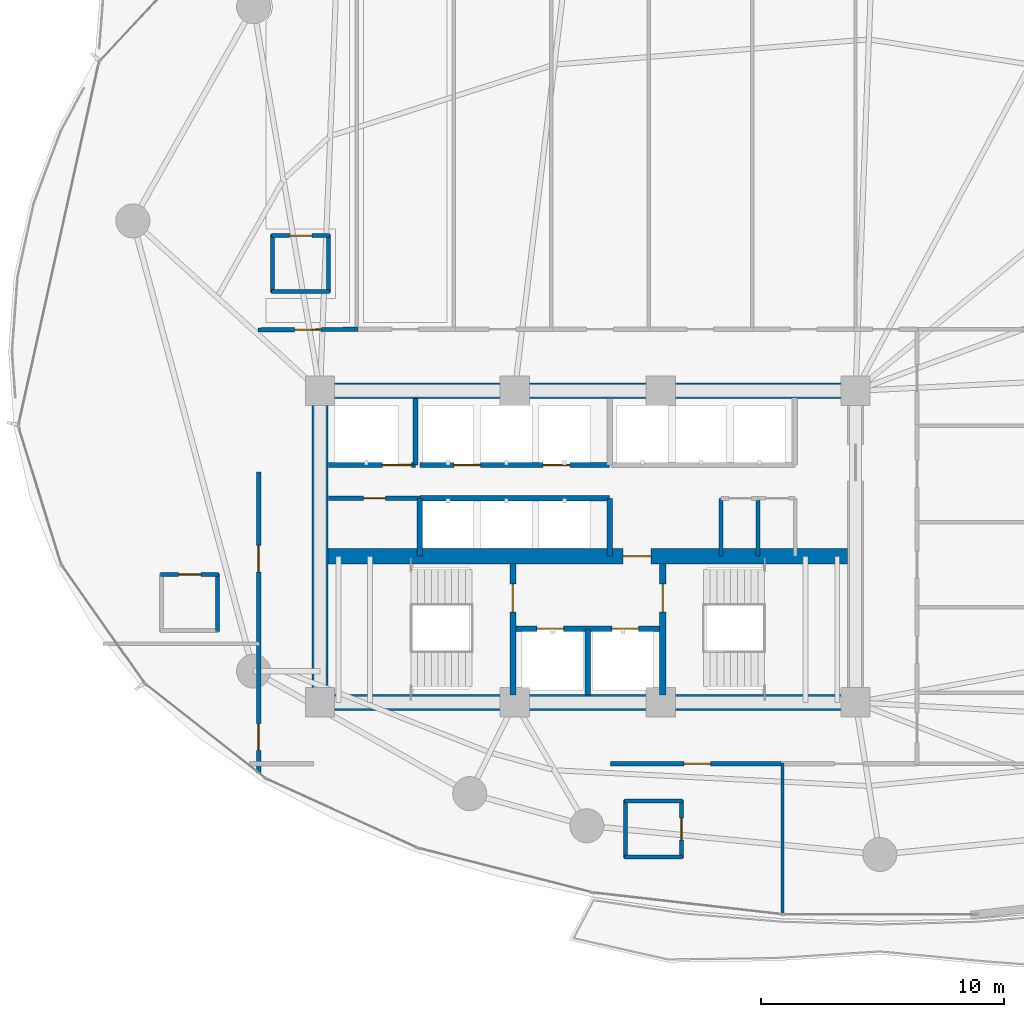
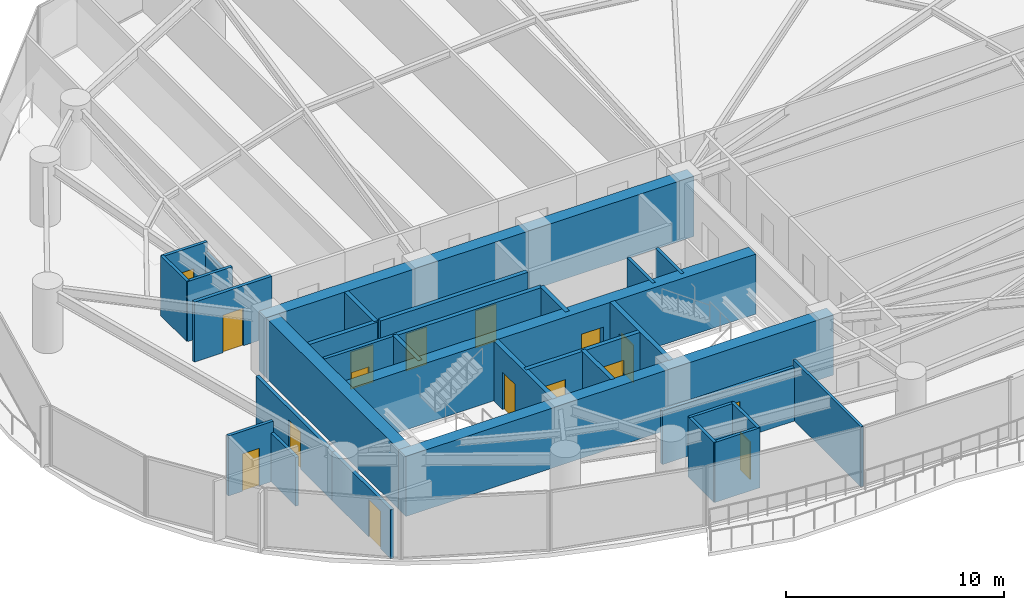
# One storey, part 26 of 33: 32 walls, 16 doors, 16 openings.
"""IFC4 building model written with IfcOpenShell, lengths in metres."""

import ifcopenshell
import ifcopenshell.guid

model = None  # the IFC model being written
_history = None  # IfcOwnerHistory: only IFC2X3 demands one
_inside = {}  # id of a spatial element -> (the spatial element, [elements in it])
_under = {}  # id of a project, library or spatial element -> (it, [spatial elements below it])
_declared = {}  # id of a project -> (the project, [libraries it declares])
_typed = {}  # id of a type object -> (the type object, [elements of that type])
_made_of = {}  # id of a material, layer set ... -> (it, [elements and type objects made of it])


def new_model(schema):
    """Start an empty IFC model of exactly this schema.

    Asked for "IFC4X3", IfcOpenShell would pick the latest addendum, in which some entities
    have other attributes; the version numbers below select the first issue.
    IFC2X3 requires an IfcOwnerHistory on every rooted entity: one is made here for all.
    """
    global model, _history
    if schema == "IFC4X3":
        model = ifcopenshell.file(schema_version=(4, 3, 0, 0))
    else:
        model = ifcopenshell.file(schema=schema)
    _inside.clear()
    _under.clear()
    _declared.clear()
    _typed.clear()
    _made_of.clear()
    _history = None
    if model.schema == "IFC2X3":
        org = make("IfcOrganization", Name="unknown")
        user = make(
            "IfcPersonAndOrganization",
            ThePerson=make("IfcPerson", FamilyName="unknown"),
            TheOrganization=org,
        )
        app = make(
            "IfcApplication",
            ApplicationDeveloper=org,
            Version="unknown",
            ApplicationFullName="unknown",
            ApplicationIdentifier="unknown",
        )
        _history = make(
            "IfcOwnerHistory",
            OwningUser=user,
            OwningApplication=app,
            ChangeAction="ADDED",
            CreationDate=0,
        )
    return model


def make(cls, **values):
    """One entity of the class cls with the attributes given. An attribute that is None is left unset."""
    return model.create_entity(
        cls, **{name: value for name, value in values.items() if value is not None}
    )


def rooted(cls, **values):
    """An entity with a GlobalId (a new one), such as an element, a storey or a relation."""
    return make(cls, GlobalId=ifcopenshell.guid.new(), OwnerHistory=_history, **values)


def si_unit(unit_type, name, prefix=None):
    """IfcSIUnit, for example si_unit("LENGTHUNIT", "METRE", prefix="MILLI")."""
    return make("IfcSIUnit", UnitType=unit_type, Prefix=prefix, Name=name)


def assignment(units):
    """IfcUnitAssignment: the units of a project."""
    return None if units is None else make("IfcUnitAssignment", Units=units)


def point(xyz):
    """IfcCartesianPoint."""
    return None if xyz is None else make("IfcCartesianPoint", Coordinates=xyz)


def direction(xyz):
    """IfcDirection."""
    return None if xyz is None else make("IfcDirection", DirectionRatios=xyz)


def frame(location, z_axis=None, x_axis=None):
    """IfcAxis2Placement3D, a coordinate frame: its origin and axes. An axis left out is left unset."""
    return make(
        "IfcAxis2Placement3D",
        Location=point(location),
        Axis=direction(z_axis),
        RefDirection=direction(x_axis),
    )


def frame_2d(location, x_axis=None):
    """IfcAxis2Placement2D, a coordinate frame in the plane: its origin and x axis."""
    return make(
        "IfcAxis2Placement2D", Location=point(location), RefDirection=direction(x_axis)
    )


def origin():
    """The frame at (0, 0, 0) with its axes left unset."""
    return frame((0.0, 0.0, 0.0))


def place(relative_to, where):
    """IfcLocalPlacement: puts the frame where relative to a parent placement (None: the world)."""
    return make(
        "IfcLocalPlacement", PlacementRelTo=relative_to, RelativePlacement=where
    )


def context(
    kind, dimensions, precision=None, world=None, true_north=None, identifier=None
):
    """IfcGeometricRepresentationContext, for example the 3D "Model" context."""
    return make(
        "IfcGeometricRepresentationContext",
        ContextIdentifier=identifier,
        ContextType=kind,
        CoordinateSpaceDimension=dimensions,
        Precision=precision,
        WorldCoordinateSystem=world,
        TrueNorth=true_north,
    )


def subcontext(parent, identifier, kind, view, scale=None):
    """IfcGeometricRepresentationSubContext, for example "Body" below "Model"."""
    return make(
        "IfcGeometricRepresentationSubContext",
        ContextIdentifier=identifier,
        ContextType=kind,
        ParentContext=parent,
        TargetScale=scale,
        TargetView=view,
    )


def project(units=None, contexts=None):
    """IfcProject with its units and contexts."""
    return rooted(
        "IfcProject",
        Name="project",
        RepresentationContexts=contexts,
        UnitsInContext=assignment(units),
    )


def spatial(cls, under=None, at=None, **own):
    """A site, building, storey or space (cls), placed at a placement, below another one or the project."""
    s = rooted(cls, ObjectPlacement=at, **own)
    if under is not None:
        _under.setdefault(under.id(), (under, []))[1].append(s)
    return s


def profile(cls, at=None, kind="AREA", **sizes):
    """A parametric profile (cls). Its sizes go by their IFC names, for example OverallWidth=200.0."""
    return make(cls, ProfileType=kind, Position=at, **sizes)


def rectangle(**sizes):
    """IfcRectangleProfileDef."""
    return profile("IfcRectangleProfileDef", **sizes)


def extrude(swept, where, along, depth):
    """IfcExtrudedAreaSolid: the profile swept, set in the frame where, extruded along a direction by depth."""
    return make(
        "IfcExtrudedAreaSolid",
        SweptArea=swept,
        Position=where,
        ExtrudedDirection=direction(along),
        Depth=depth,
    )


def shape(context_of_items, identifier, shape_type, items):
    """IfcShapeRepresentation: the items that make up one representation, for example the "Body"."""
    return make(
        "IfcShapeRepresentation",
        ContextOfItems=context_of_items,
        RepresentationIdentifier=identifier,
        RepresentationType=shape_type,
        Items=items,
    )


def material(Name=None, Category=None):
    """IfcMaterial."""
    return make("IfcMaterial", Name=Name, Category=Category)


def layer(
    of_material, thickness, ventilated=None, Name=None, Category=None, Priority=None
):
    """IfcMaterialLayer: one layer of a wall or slab, of a material (None: an air gap)."""
    return make(
        "IfcMaterialLayer",
        Material=of_material,
        LayerThickness=thickness,
        IsVentilated=ventilated,
        Name=Name,
        Category=Category,
        Priority=Priority,
    )


def layer_set(layers, Name=None):
    """IfcMaterialLayerSet."""
    return make("IfcMaterialLayerSet", MaterialLayers=layers, LayerSetName=Name)


def made_of(thing, what):
    """Note that an element or type object is made of a material, layer set ...; save() writes the relation."""
    if what is not None:
        _made_of.setdefault(what.id(), (what, []))[1].append(thing)
    return thing


def type_object(cls, material=None, **own):
    """A type object (cls), such as IfcWallType, which elements share."""
    return made_of(rooted(cls, **own), material)


def element(
    cls,
    number,
    at=None,
    inside=None,
    cuts=None,
    type_object=None,
    material=None,
    context=None,
    identifier="Body",
    shape_type=None,
    held_by="IfcProductDefinitionShape",
    body=None,
    shapes=None,
    **own,
):
    """One element of the class cls, such as IfcWall. Its Tag is "e" and its number.

    at: its placement. inside: the storey or other place that contains it. cuts: it is an
    opening in that element (IfcRelVoidsElement). A single representation is given by context,
    identifier, shape_type and body (its items); several are given by shapes. held_by: the class
    of the entity that holds the representations. save() writes the other relations.
    """
    e = rooted(cls, Tag="e%d" % number, ObjectPlacement=at, **own)
    if body is not None:
        shapes = [shape(context, identifier, shape_type, body)]
    if shapes is not None:
        e.Representation = make(held_by, Representations=shapes)
    if inside is not None:
        _inside.setdefault(inside.id(), (inside, []))[1].append(e)
    if cuts is not None:
        rooted(
            "IfcRelVoidsElement", RelatingBuildingElement=cuts, RelatedOpeningElement=e
        )
    if type_object is not None:
        _typed.setdefault(type_object.id(), (type_object, []))[1].append(e)
    return made_of(e, material)


def fill(opening, filler):
    """IfcRelFillsElement: the door or window that sits in an opening."""
    return rooted(
        "IfcRelFillsElement",
        RelatingOpeningElement=opening,
        RelatedBuildingElement=filler,
    )


def aggregate(whole, parts):
    """IfcRelAggregates: a whole, such as a stair, and the parts it consists of."""
    return rooted("IfcRelAggregates", RelatingObject=whole, RelatedObjects=parts)


def save(model, path):
    """Write the relations noted so far, then the file.

    IfcRelAggregates (storeys below a building ...), IfcRelContainedInSpatialStructure (elements
    in a storey), IfcRelDefinesByType, IfcRelAssociatesMaterial and IfcRelDeclares: one each for
    every whole, place, type object, material and project.
    """
    for whole, parts in _under.values():
        aggregate(whole, parts)
    for where, things in _inside.values():
        rooted(
            "IfcRelContainedInSpatialStructure",
            RelatedElements=things,
            RelatingStructure=where,
        )
    for kind, things in _typed.values():
        rooted("IfcRelDefinesByType", RelatedObjects=things, RelatingType=kind)
    for what, things in _made_of.values():
        rooted("IfcRelAssociatesMaterial", RelatedObjects=things, RelatingMaterial=what)
    for by, libraries in _declared.values():
        rooted("IfcRelDeclares", RelatingContext=by, RelatedDefinitions=libraries)
    model.write(path)


model = new_model("IFC4")

# Units and contexts
model_context = context("Model", 3, precision=1e-05, world=origin(), true_north=direction((0.0, 1.0)))
body_context = subcontext(model_context, "Body", "Model", "MODEL_VIEW")
ifc_project = project(units=[si_unit("LENGTHUNIT", "METRE"), si_unit("AREAUNIT", "SQUARE_METRE"), si_unit("VOLUMEUNIT", "CUBIC_METRE"), si_unit("PLANEANGLEUNIT", "RADIAN"), si_unit("MASSUNIT", "GRAM", prefix="KILO")], contexts=[model_context])

# Site, building, storey
site_placement = place(None, origin())
site = spatial("IfcSite", under=ifc_project, at=site_placement, CompositionType="ELEMENT")
building_placement = place(site_placement, origin())
building = spatial("IfcBuilding", under=site, at=building_placement, Name="Kazevale Care Tower and Concert Hall", CompositionType="ELEMENT")
storey_placement = place(building_placement, frame((0.0, 0.0, 27.60009765625)))
storey = spatial("IfcBuildingStorey", under=building, at=storey_placement, Name="L06", CompositionType="ELEMENT", Elevation=27.60009765625)

# Walls
ifc_material_1 = material(Name="Acoustic Gypsum on Steel Stud", Category="steel")
ifc_layer_1 = layer(ifc_material_1, 0.139892578125)
ifc_layer_set_1 = layer_set([ifc_layer_1], Name="Acoustic Gypsum on Steel Stud")
wall_type_1 = type_object("IfcWallType", Name="Acoustic Care & Suite Partition 140", PredefinedType="PARTITIONING", material=ifc_layer_set_1)
wall_1_placement = place(storey_placement, frame((41.0, 21.10498046875, 0.0), z_axis=(0.0, 0.0, 1.0), x_axis=(0.0, -1.0, 0.0)))
element("IfcWall", 1, at=wall_1_placement, inside=storey, type_object=wall_type_1, Name="wall:L06:auto_030", PredefinedType="PARTITIONING", context=body_context, shape_type="SweptSolid", body=[
    extrude(rectangle(XDim=6.204833984375, YDim=0.139892578125, at=frame_2d((3.1025390625, 0.0))), origin(), (0.0, 0.0, 1.0), 3.35986328125),
])
ifc_material_2 = material(Name="Concrete C70", Category="concrete")
ifc_layer_2 = layer(ifc_material_2, 0.64990234375)
ifc_layer_set_2 = layer_set([ifc_layer_2], Name="Concrete C70")
wall_type_2 = type_object("IfcWallType", Name="Core Shear Wall 650 C70", PredefinedType="SHEAR", material=ifc_layer_set_2)
for number, where, z_axis, x_axis, name in (
    (2, (21.675048828125, 23.60009765625, 0.0), (0.0, 0.0, 1.0), (1.0, 0.0, 0.0), "wall:L06:core:S"),
    (3, (21.675048828125, 36.39990234375, 0.0), (0.0, 0.0, 1.0), (1.0, 0.0, 0.0), "wall:L06:core:N"),
):
    element("IfcWall", number, at=place(storey_placement, frame(where, z_axis=z_axis, x_axis=x_axis)), inside=storey, type_object=wall_type_2, Name=name, PredefinedType="SHEAR", context=body_context, shape_type="SweptSolid", body=[
        extrude(rectangle(XDim=22.64990234375, YDim=0.64990234375, at=frame_2d((11.324951171875, 0.0))), origin(), (0.0, 0.0, 1.0), 3.35986328125),
    ])
wall_2_placement = place(storey_placement, frame((22.0, 23.925048828125, 0.0), z_axis=(0.0, 0.0, 1.0), x_axis=(0.0, 1.0, 0.0)))
element("IfcWall", 4, at=wall_2_placement, inside=storey, type_object=wall_type_2, Name="wall:L06:core:W", PredefinedType="SHEAR", context=body_context, shape_type="SweptSolid", body=[
    extrude(rectangle(XDim=12.14990234375, YDim=0.64990234375, at=frame_2d((6.074951171875, 0.0))), origin(), (0.0, 0.0, 1.0), 3.35986328125),
])

# Wall, opening, door
wall_3_placement = place(storey_placement, frame((22.324951171875, 29.60009765625, 0.0), z_axis=(0.0, 0.0, 1.0), x_axis=(1.0, 0.0, 0.0)))
wall_3 = element("IfcWall", 5, at=wall_3_placement, inside=storey, type_object=wall_type_2, Name="wall:L06:core:M", PredefinedType="SHEAR", context=body_context, shape_type="SweptSolid", body=[
    extrude(rectangle(XDim=21.35009765625, YDim=0.64990234375, at=frame_2d((10.675048828125, 0.0))), origin(), (0.0, 0.0, 1.0), 3.35986328125),
])
opening_1_placement = place(wall_3_placement, frame((12.125, 0.0, 0.0)))
opening_1 = element("IfcOpeningElement", 6, at=opening_1_placement, cuts=wall_3, Name="Opening FD-90", PredefinedType="OPENING", context=body_context, shape_type="SweptSolid", body=[
    extrude(rectangle(XDim=1.14990234375, YDim=2.10009765625, at=frame_2d((0.574951171875, 1.050048828125))), frame((0.0, 0.3349609375, 0.0), z_axis=(0.0, -1.0, 0.0), x_axis=(1.0, 0.0, 0.0)), (0.0, 0.0, 1.0), 0.669921875),
])
ifc_material_3 = material(Name="Steel ASTM A572 Gr 50", Category="steel")
door_type_1 = type_object("IfcDoorType", Name="Pressurized Stair & Lobby Fire Door 1150x2100", OperationType="NOTDEFINED", PredefinedType="DOOR", material=ifc_material_3)
door_1_placement = place(opening_1_placement, origin())
door_1 = element("IfcDoor", 7, at=door_1_placement, inside=storey, type_object=door_type_1, Name="door:L06:ff_to_pax", OperationType="SINGLE_SWING_LEFT", OverallHeight=2.10009765625, OverallWidth=1.14990234375, PredefinedType="DOOR", context=body_context, shape_type="SweptSolid", body=[
    extrude(rectangle(XDim=1.14990234375, YDim=2.10009765625, at=frame_2d((0.574951171875, 1.050048828125))), frame((0.0, 0.02490234375, 0.0), z_axis=(0.0, -1.0, 0.0), x_axis=(1.0, 0.0, 0.0)), (0.0, 0.0, 1.0), 0.050048828125),
])
fill(opening_1, door_1)

# Wall, openings, doors
ifc_material_4 = material(Name="Concrete C40", Category="concrete")
ifc_layer_3 = layer(ifc_material_4, 0.219970703125)
ifc_layer_set_3 = layer_set([ifc_layer_3], Name="Concrete C40")
wall_type_3 = type_object("IfcWallType", Name="Elevator Hoistway Shaft Wall 220", PredefinedType="SOLIDWALL", material=ifc_layer_set_3)
wall_4_placement = place(storey_placement, frame((29.919921875, 26.6201171875, 0.0), z_axis=(0.0, 0.0, 1.0), x_axis=(1.0, 0.0, 0.0)))
wall_4 = element("IfcWall", 8, at=wall_4_placement, inside=storey, type_object=wall_type_3, Name="wall:L06:c_ffl_n", PredefinedType="SOLIDWALL", context=body_context, shape_type="SweptSolid", body=[
    extrude(rectangle(XDim=6.16015625, YDim=0.219970703125, at=frame_2d((3.080078125, 0.0))), origin(), (0.0, 0.0, 1.0), 3.35986328125),
])
opening_2_placement = place(wall_4_placement, frame((0.989990234375, 0.0, 0.0)))
opening_2 = element("IfcOpeningElement", 9, at=opening_2_placement, cuts=wall_4, Name="Opening LD-FF", PredefinedType="OPENING", context=body_context, shape_type="SweptSolid", body=[
    extrude(rectangle(XDim=1.10009765625, YDim=2.10009765625, at=frame_2d((0.550048828125, 1.050048828125))), frame((0.0, 0.119873046875, 0.0), z_axis=(0.0, -1.0, 0.0), x_axis=(1.0, 0.0, 0.0)), (0.0, 0.0, 1.0), 0.239990234375),
])
opening_3_placement = place(wall_4_placement, frame((4.070068359375, 0.0, 0.0)))
opening_3 = element("IfcOpeningElement", 10, at=opening_3_placement, cuts=wall_4, Name="Opening LD-FF", PredefinedType="OPENING", context=body_context, shape_type="SweptSolid", body=[
    extrude(rectangle(XDim=1.10009765625, YDim=2.10009765625, at=frame_2d((0.550048828125, 1.050048828125))), frame((0.0, 0.119873046875, 0.0), z_axis=(0.0, -1.0, 0.0), x_axis=(1.0, 0.0, 0.0)), (0.0, 0.0, 1.0), 0.239990234375),
])
ifc_material_5 = material(Name="Stainless Steel 316", Category="steel")
door_type_2 = type_object("IfcDoorType", Name="Emergency Lift Sliding Landing Door 1100x2100", OperationType="NOTDEFINED", PredefinedType="DOOR", material=ifc_material_5)
door_2_placement = place(opening_2_placement, origin())
door_2 = element("IfcDoor", 11, at=door_2_placement, inside=storey, type_object=door_type_2, Name="door:L06:ld_ffl1", OperationType="SLIDING_TO_LEFT", OverallHeight=2.10009765625, OverallWidth=1.10009765625, PredefinedType="DOOR", context=body_context, shape_type="SweptSolid", body=[
    extrude(rectangle(XDim=1.10009765625, YDim=2.10009765625, at=frame_2d((0.550048828125, 1.050048828125))), frame((0.0, 0.02490234375, 0.0), z_axis=(0.0, -1.0, 0.0), x_axis=(1.0, 0.0, 0.0)), (0.0, 0.0, 1.0), 0.050048828125),
])
fill(opening_2, door_2)
door_3_placement = place(opening_3_placement, origin())
door_3 = element("IfcDoor", 12, at=door_3_placement, inside=storey, type_object=door_type_2, Name="door:L06:ld_ffl2", OperationType="SLIDING_TO_RIGHT", OverallHeight=2.10009765625, OverallWidth=1.10009765625, PredefinedType="DOOR", context=body_context, shape_type="SweptSolid", body=[
    extrude(rectangle(XDim=1.10009765625, YDim=2.10009765625, at=frame_2d((0.550048828125, 1.050048828125))), frame((0.0, 0.02490234375, 0.0), z_axis=(0.0, -1.0, 0.0), x_axis=(1.0, 0.0, 0.0)), (0.0, 0.0, 1.0), 0.050048828125),
])
fill(opening_3, door_3)

# Walls
wall_5_placement = place(storey_placement, frame((33.0, 23.89990234375, 0.0), z_axis=(0.0, 0.0, 1.0), x_axis=(0.0, 1.0, 0.0)))
element("IfcWall", 13, at=wall_5_placement, inside=storey, type_object=wall_type_3, Name="wall:L06:c_ffl_m", PredefinedType="SOLIDWALL", context=body_context, shape_type="SweptSolid", body=[
    extrude(rectangle(XDim=2.72021484375, YDim=0.219970703125, at=frame_2d((1.360107421875, 0.0))), origin(), (0.0, 0.0, 1.0), 3.35986328125),
])
wall_6_placement = place(storey_placement, frame((25.919921875, 33.35009765625, 0.0), z_axis=(0.0, 0.0, 1.0), x_axis=(0.0, 1.0, 0.0)))
element("IfcWall", 14, at=wall_6_placement, inside=storey, type_object=wall_type_3, Name="wall:L06:c_svl_e", PredefinedType="SOLIDWALL", context=body_context, shape_type="SweptSolid", body=[
    extrude(rectangle(XDim=2.72998046875, YDim=0.219970703125, at=frame_2d((1.364990234375, 0.0))), origin(), (0.0, 0.0, 1.0), 3.35986328125),
])

# Wall, opening, door
wall_7_placement = place(storey_placement, frame((22.35009765625, 33.35009765625, 0.0), z_axis=(0.0, 0.0, 1.0), x_axis=(1.0, 0.0, 0.0)))
wall_7 = element("IfcWall", 15, at=wall_7_placement, inside=storey, type_object=wall_type_3, Name="wall:L06:c_svl_s", PredefinedType="SOLIDWALL", context=body_context, shape_type="SweptSolid", body=[
    extrude(rectangle(XDim=3.56982421875, YDim=0.219970703125, at=frame_2d((1.784912109375, 0.0))), origin(), (0.0, 0.0, 1.0), 3.35986328125),
])
opening_4_placement = place(wall_7_placement, frame((2.212890625, 0.0, 0.0)))
opening_4 = element("IfcOpeningElement", 16, at=opening_4_placement, cuts=wall_7, Name="Opening LD-SV", PredefinedType="OPENING", context=body_context, shape_type="SweptSolid", body=[
    extrude(rectangle(XDim=1.199951171875, YDim=2.10009765625, at=frame_2d((0.60009765625, 1.050048828125))), frame((0.0, 0.119873046875, 0.0), z_axis=(0.0, -1.0, 0.0), x_axis=(1.0, 0.0, 0.0)), (0.0, 0.0, 1.0), 0.239990234375),
])
door_type_3 = type_object("IfcDoorType", Name="Service Lift Sliding Landing Door 1200x2100", OperationType="NOTDEFINED", PredefinedType="DOOR", material=ifc_material_5)
door_4_placement = place(opening_4_placement, origin())
door_4 = element("IfcDoor", 17, at=door_4_placement, inside=storey, type_object=door_type_3, Name="door:L06:ld_svl1", OperationType="SLIDING_TO_LEFT", OverallHeight=2.10009765625, OverallWidth=1.199951171875, PredefinedType="DOOR", context=body_context, shape_type="SweptSolid", body=[
    extrude(rectangle(XDim=1.199951171875, YDim=2.10009765625, at=frame_2d((0.60009765625, 1.050048828125))), frame((0.0, 0.02490234375, 0.0), z_axis=(0.0, -1.0, 0.0), x_axis=(1.0, 0.0, 0.0)), (0.0, 0.0, 1.0), 0.050048828125),
])
fill(opening_4, door_4)

# Walls
wall_8_placement = place(storey_placement, frame((26.10009765625, 29.6201171875, 0.0), z_axis=(0.0, 0.0, 1.0), x_axis=(0.0, 1.0, 0.0)))
element("IfcWall", 18, at=wall_8_placement, inside=storey, type_object=wall_type_3, Name="wall:L06:c_ph_w", PredefinedType="SOLIDWALL", context=body_context, shape_type="SweptSolid", body=[
    extrude(rectangle(XDim=2.35986328125, YDim=0.219970703125, at=frame_2d((1.179931640625, 0.0))), origin(), (0.0, 0.0, 1.0), 3.35986328125),
])
wall_9_placement = place(storey_placement, frame((26.10009765625, 31.97998046875, 0.0), z_axis=(0.0, 0.0, 1.0), x_axis=(1.0, 0.0, 0.0)))
element("IfcWall", 19, at=wall_9_placement, inside=storey, type_object=wall_type_3, Name="wall:L06:c_ph_n", PredefinedType="SOLIDWALL", context=body_context, shape_type="SweptSolid", body=[
    extrude(rectangle(XDim=7.7998046875, YDim=0.219970703125, at=frame_2d((3.89990234375, 0.0))), origin(), (0.0, 0.0, 1.0), 3.35986328125),
])
wall_10_placement = place(storey_placement, frame((33.89990234375, 29.6201171875, 0.0), z_axis=(0.0, 0.0, 1.0), x_axis=(0.0, 1.0, 0.0)))
element("IfcWall", 20, at=wall_10_placement, inside=storey, type_object=wall_type_3, Name="wall:L06:c_ph_e", PredefinedType="SOLIDWALL", context=body_context, shape_type="SweptSolid", body=[
    extrude(rectangle(XDim=2.35986328125, YDim=0.219970703125, at=frame_2d((1.179931640625, 0.0))), origin(), (0.0, 0.0, 1.0), 3.35986328125),
])

# Wall, openings, doors
wall_11_placement = place(storey_placement, frame((26.10009765625, 33.35009765625, 0.0), z_axis=(0.0, 0.0, 1.0), x_axis=(1.0, 0.0, 0.0)))
wall_11 = element("IfcWall", 21, at=wall_11_placement, inside=storey, type_object=wall_type_3, Name="wall:L06:c_pl_s", PredefinedType="SOLIDWALL", context=body_context, shape_type="SweptSolid", body=[
    extrude(rectangle(XDim=7.7998046875, YDim=0.219970703125, at=frame_2d((3.89990234375, 0.0))), origin(), (0.0, 0.0, 1.0), 3.35986328125),
])
opening_5_placement = place(wall_11_placement, frame((1.39990234375, 0.0, 0.0)))
opening_5 = element("IfcOpeningElement", 22, at=opening_5_placement, cuts=wall_11, Name="Opening LD-PAX", PredefinedType="OPENING", context=body_context, shape_type="SweptSolid", body=[
    extrude(rectangle(XDim=1.10009765625, YDim=2.10009765625, at=frame_2d((0.550048828125, 1.050048828125))), frame((0.0, 0.119873046875, 0.0), z_axis=(0.0, -1.0, 0.0), x_axis=(1.0, 0.0, 0.0)), (0.0, 0.0, 1.0), 0.239990234375),
])
opening_6_placement = place(wall_11_placement, frame((5.06591796875, 0.0, 0.0)))
opening_6 = element("IfcOpeningElement", 23, at=opening_6_placement, cuts=wall_11, Name="Opening LD-PAX", PredefinedType="OPENING", context=body_context, shape_type="SweptSolid", body=[
    extrude(rectangle(XDim=1.10009765625, YDim=2.10009765625, at=frame_2d((0.550048828125, 1.050048828125))), frame((0.0, 0.119873046875, 0.0), z_axis=(0.0, -1.0, 0.0), x_axis=(1.0, 0.0, 0.0)), (0.0, 0.0, 1.0), 0.239990234375),
])
door_type_4 = type_object("IfcDoorType", Name="Passenger Lift Sliding Landing Door 1100x2100", OperationType="NOTDEFINED", PredefinedType="DOOR", material=ifc_material_5)
door_5_placement = place(opening_5_placement, origin())
door_5 = element("IfcDoor", 24, at=door_5_placement, inside=storey, type_object=door_type_4, Name="door:L06:ld_pl1", OperationType="SLIDING_TO_LEFT", OverallHeight=2.10009765625, OverallWidth=1.10009765625, PredefinedType="DOOR", context=body_context, shape_type="SweptSolid", body=[
    extrude(rectangle(XDim=1.10009765625, YDim=2.10009765625, at=frame_2d((0.550048828125, 1.050048828125))), frame((0.0, 0.02490234375, 0.0), z_axis=(0.0, -1.0, 0.0), x_axis=(1.0, 0.0, 0.0)), (0.0, 0.0, 1.0), 0.050048828125),
])
fill(opening_5, door_5)
door_6_placement = place(opening_6_placement, origin())
door_6 = element("IfcDoor", 25, at=door_6_placement, inside=storey, type_object=door_type_4, Name="door:L06:ld_pl2", OperationType="SLIDING_TO_RIGHT", OverallHeight=2.10009765625, OverallWidth=1.10009765625, PredefinedType="DOOR", context=body_context, shape_type="SweptSolid", body=[
    extrude(rectangle(XDim=1.10009765625, YDim=2.10009765625, at=frame_2d((0.550048828125, 1.050048828125))), frame((0.0, 0.02490234375, 0.0), z_axis=(0.0, -1.0, 0.0), x_axis=(1.0, 0.0, 0.0)), (0.0, 0.0, 1.0), 0.050048828125),
])
fill(opening_6, door_6)

# Wall, opening, door
ifc_material_6 = material(Name="Concrete C40 and Acoustic Gypsum", Category="concrete")
ifc_layer_4 = layer(ifc_material_6, 0.179931640625)
ifc_layer_set_4 = layer_set([ifc_layer_4], Name="Concrete C40 and Acoustic Gypsum")
wall_type_4 = type_object("IfcWallType", Name="Fire-Rated Corridor & Party Wall 180", PredefinedType="PARTITIONING", material=ifc_layer_set_4)
wall_12_placement = place(storey_placement, frame((22.35009765625, 31.97998046875, 0.0), z_axis=(0.0, 0.0, 1.0), x_axis=(1.0, 0.0, 0.0)))
wall_12 = element("IfcWall", 26, at=wall_12_placement, inside=storey, type_object=wall_type_4, Name="wall:L06:ka_wn1", PredefinedType="PARTITIONING", context=body_context, shape_type="SweptSolid", body=[
    extrude(rectangle(XDim=3.75, YDim=0.179931640625, at=frame_2d((1.875, 0.0))), origin(), (0.0, 0.0, 1.0), 3.35986328125),
])
opening_7_placement = place(wall_12_placement, frame((1.425048828125, 0.0, 0.0)))
opening_7 = element("IfcOpeningElement", 27, at=opening_7_placement, cuts=wall_12, Name="Opening ID-900", PredefinedType="OPENING", context=body_context, shape_type="SweptSolid", body=[
    extrude(rectangle(XDim=0.919921875, YDim=2.10009765625, at=frame_2d((0.4599609375, 1.050048828125))), frame((0.0, 0.099853515625, 0.0), z_axis=(0.0, -1.0, 0.0), x_axis=(1.0, 0.0, 0.0)), (0.0, 0.0, 1.0), 0.199951171875),
])
ifc_material_7 = material(Name="Oak Timber Fire Leaf", Category="wood")
door_type_5 = type_object("IfcDoorType", Name="Bathroom & Service Door 920x2100", OperationType="NOTDEFINED", PredefinedType="DOOR", material=ifc_material_7)
door_7_placement = place(opening_7_placement, origin())
door_7 = element("IfcDoor", 28, at=door_7_placement, inside=storey, type_object=door_type_5, Name="door:L06:d_kaw", OperationType="SINGLE_SWING_LEFT", OverallHeight=2.10009765625, OverallWidth=0.919921875, PredefinedType="DOOR", context=body_context, shape_type="SweptSolid", body=[
    extrude(rectangle(XDim=0.919921875, YDim=2.10009765625, at=frame_2d((0.4599609375, 1.050048828125))), frame((0.0, 0.02490234375, 0.0), z_axis=(0.0, -1.0, 0.0), x_axis=(1.0, 0.0, 0.0)), (0.0, 0.0, 1.0), 0.050048828125),
])
fill(opening_7, door_7)

wall_13_placement = place(storey_placement, frame((19.445068359375, 38.89990234375, 0.0), z_axis=(0.0, 0.0, 1.0), x_axis=(0.999981372921, 0.00610359001, 0.0)))
wall_13 = element("IfcWall", 29, at=wall_13_placement, inside=storey, type_object=wall_type_4, Name="wall:L06:auto_001", PredefinedType="PARTITIONING", context=body_context, shape_type="SweptSolid", body=[
    extrude(rectangle(XDim=4.119873046875, YDim=0.179931640625, at=frame_2d((2.06005859375, 0.0))), origin(), (0.0, 0.0, 1.0), 3.35986328125),
])
opening_8_placement = place(wall_13_placement, frame((1.510009765625, 0.0, 0.0)))
opening_8 = element("IfcOpeningElement", 30, at=opening_8_placement, cuts=wall_13, Name="Opening ID-1100", PredefinedType="OPENING", context=body_context, shape_type="SweptSolid", body=[
    extrude(rectangle(XDim=1.10009765625, YDim=2.10009765625, at=frame_2d((0.550048828125, 1.050048828125))), frame((0.0, 0.099853515625, 0.0), z_axis=(0.0, -1.0, 0.0), x_axis=(1.0, 0.0, 0.0)), (0.0, 0.0, 1.0), 0.199951171875),
])
door_type_6 = type_object("IfcDoorType", Name="Care Bedroom Accessible Door 1100x2100", OperationType="NOTDEFINED", PredefinedType="DOOR", material=ifc_material_7)
door_8_placement = place(opening_8_placement, origin())
door_8 = element("IfcDoor", 31, at=door_8_placement, inside=storey, type_object=door_type_6, Name="door:L06:ad_001", OperationType="SINGLE_SWING_LEFT", OverallHeight=2.10009765625, OverallWidth=1.10009765625, PredefinedType="DOOR", context=body_context, shape_type="SweptSolid", body=[
    extrude(rectangle(XDim=1.10009765625, YDim=2.10009765625, at=frame_2d((0.550048828125, 1.050048828125))), frame((0.0, 0.02490234375, 0.0), z_axis=(0.0, -1.0, 0.0), x_axis=(1.0, 0.0, 0.0)), (0.0, 0.0, 1.0), 0.050048828125),
])
fill(opening_8, door_8)

wall_14_placement = place(storey_placement, frame((41.06494140625, 21.074951171875, 0.0), z_axis=(0.0, 0.0, 1.0), x_axis=(-1.0, 0.0, 0.0)))
wall_14 = element("IfcWall", 32, at=wall_14_placement, inside=storey, type_object=wall_type_4, Name="wall:L06:auto_013", PredefinedType="PARTITIONING", context=body_context, shape_type="SweptSolid", body=[
    extrude(rectangle(XDim=7.1298828125, YDim=0.179931640625, at=frame_2d((3.56494140625, 0.0))), origin(), (0.0, 0.0, 1.0), 2.995849609375),
])
opening_9_placement = place(wall_14_placement, frame((3.014892578125, 0.0, 0.0)))
opening_9 = element("IfcOpeningElement", 33, at=opening_9_placement, cuts=wall_14, Name="Opening ID-1100", PredefinedType="OPENING", context=body_context, shape_type="SweptSolid", body=[
    extrude(rectangle(XDim=1.10009765625, YDim=2.10009765625, at=frame_2d((0.550048828125, 1.050048828125))), frame((0.0, 0.099853515625, 0.0), z_axis=(0.0, -1.0, 0.0), x_axis=(1.0, 0.0, 0.0)), (0.0, 0.0, 1.0), 0.199951171875),
])
door_9_placement = place(opening_9_placement, origin())
door_9 = element("IfcDoor", 34, at=door_9_placement, inside=storey, type_object=door_type_6, Name="door:L06:ad_013", OperationType="SINGLE_SWING_LEFT", OverallHeight=2.10009765625, OverallWidth=1.10009765625, PredefinedType="DOOR", context=body_context, shape_type="SweptSolid", body=[
    extrude(rectangle(XDim=1.10009765625, YDim=2.10009765625, at=frame_2d((0.550048828125, 1.050048828125))), frame((0.0, 0.02490234375, 0.0), z_axis=(0.0, -1.0, 0.0), x_axis=(1.0, 0.0, 0.0)), (0.0, 0.0, 1.0), 0.050048828125),
])
fill(opening_9, door_9)

wall_15_placement = place(storey_placement, frame((19.47509765625, 20.695068359375, 0.0), z_axis=(0.0, 0.0, 1.0), x_axis=(0.0, 1.0, 0.0)))
wall_15 = element("IfcWall", 35, at=wall_15_placement, inside=storey, type_object=wall_type_4, Name="wall:L06:auto_015", PredefinedType="PARTITIONING", context=body_context, shape_type="SweptSolid", body=[
    extrude(rectangle(XDim=5.369873046875, YDim=0.179931640625, at=frame_2d((2.68505859375, 0.0))), origin(), (0.0, 0.0, 1.0), 2.73779296875),
])
opening_10_placement = place(wall_15_placement, frame((0.93505859375, 0.0, 0.0)))
opening_10 = element("IfcOpeningElement", 36, at=opening_10_placement, cuts=wall_15, Name="Opening ID-1100", PredefinedType="OPENING", context=body_context, shape_type="SweptSolid", body=[
    extrude(rectangle(XDim=1.10009765625, YDim=2.10009765625, at=frame_2d((0.550048828125, 1.050048828125))), frame((0.0, 0.099853515625, 0.0), z_axis=(0.0, -1.0, 0.0), x_axis=(1.0, 0.0, 0.0)), (0.0, 0.0, 1.0), 0.199951171875),
])
door_10_placement = place(opening_10_placement, origin())
door_10 = element("IfcDoor", 37, at=door_10_placement, inside=storey, type_object=door_type_6, Name="door:L06:ad_015", OperationType="SINGLE_SWING_LEFT", OverallHeight=2.10009765625, OverallWidth=1.10009765625, PredefinedType="DOOR", context=body_context, shape_type="SweptSolid", body=[
    extrude(rectangle(XDim=1.10009765625, YDim=2.10009765625, at=frame_2d((0.550048828125, 1.050048828125))), frame((0.0, 0.02490234375, 0.0), z_axis=(0.0, -1.0, 0.0), x_axis=(1.0, 0.0, 0.0)), (0.0, 0.0, 1.0), 0.050048828125),
])
fill(opening_10, door_10)

wall_16_placement = place(storey_placement, frame((19.47509765625, 25.93505859375, 0.0), z_axis=(0.0, 0.0, 1.0), x_axis=(0.0, 1.0, 0.0)))
wall_16 = element("IfcWall", 38, at=wall_16_placement, inside=storey, type_object=wall_type_4, Name="wall:L06:auto_017", PredefinedType="PARTITIONING", context=body_context, shape_type="SweptSolid", body=[
    extrude(rectangle(XDim=7.1298828125, YDim=0.179931640625, at=frame_2d((3.56494140625, 0.0))), origin(), (0.0, 0.0, 1.0), 2.73779296875),
])
opening_11_placement = place(wall_16_placement, frame((3.014892578125, 0.0, 0.0)))
opening_11 = element("IfcOpeningElement", 39, at=opening_11_placement, cuts=wall_16, Name="Opening ID-1100", PredefinedType="OPENING", context=body_context, shape_type="SweptSolid", body=[
    extrude(rectangle(XDim=1.10009765625, YDim=2.10009765625, at=frame_2d((0.550048828125, 1.050048828125))), frame((0.0, 0.099853515625, 0.0), z_axis=(0.0, -1.0, 0.0), x_axis=(1.0, 0.0, 0.0)), (0.0, 0.0, 1.0), 0.199951171875),
])
door_11_placement = place(opening_11_placement, origin())
door_11 = element("IfcDoor", 40, at=door_11_placement, inside=storey, type_object=door_type_6, Name="door:L06:ad_017", OperationType="SINGLE_SWING_LEFT", OverallHeight=2.10009765625, OverallWidth=1.10009765625, PredefinedType="DOOR", context=body_context, shape_type="SweptSolid", body=[
    extrude(rectangle(XDim=1.10009765625, YDim=2.10009765625, at=frame_2d((0.550048828125, 1.050048828125))), frame((0.0, 0.02490234375, 0.0), z_axis=(0.0, -1.0, 0.0), x_axis=(1.0, 0.0, 0.0)), (0.0, 0.0, 1.0), 0.050048828125),
])
fill(opening_11, door_11)

# Walls
ifc_layer_5 = layer(ifc_material_1, 0.159912109375)
ifc_layer_set_5 = layer_set([ifc_layer_5], Name="Acoustic Gypsum on Steel Stud")
wall_type_5 = type_object("IfcWallType", Name="Moisture-Resistant Bathroom Plumbing Wall 160", PredefinedType="PLUMBINGWALL", material=ifc_layer_set_5)
for number, where, z_axis, x_axis, name in (
    (41, (38.47998046875, 29.6201171875, 0.0), (0.0, 0.0, 1.0), (0.0, 1.0, 0.0), "wall:L06:ka_ew"),
    (42, (40.0, 29.6201171875, 0.0), (0.0, 0.0, 1.0), (0.0, 1.0, 0.0), "wall:L06:ka_em"),
):
    element("IfcWall", number, at=place(storey_placement, frame(where, z_axis=z_axis, x_axis=x_axis)), inside=storey, type_object=wall_type_5, Name=name, PredefinedType="PLUMBINGWALL", context=body_context, shape_type="SweptSolid", body=[
        extrude(rectangle(XDim=2.35986328125, YDim=0.159912109375, at=frame_2d((1.179931640625, 0.0))), origin(), (0.0, 0.0, 1.0), 3.35986328125),
    ])
wall_17_placement = place(storey_placement, frame((20.010009765625, 40.47509765625, 0.0), z_axis=(0.0, 0.0, 1.0), x_axis=(1.0, 0.0, 0.0)))
element("IfcWall", 43, at=wall_17_placement, inside=storey, type_object=wall_type_5, Name="wall:L06:nb2a_ens_ws", PredefinedType="PLUMBINGWALL", context=body_context, shape_type="SweptSolid", body=[
    extrude(rectangle(XDim=2.3798828125, YDim=0.159912109375, at=frame_2d((1.18994140625, 0.0))), origin(), (0.0, 0.0, 1.0), 3.35986328125),
])

# Wall, opening, door
wall_18_placement = place(storey_placement, frame((20.010009765625, 42.77490234375, 0.0), z_axis=(0.0, 0.0, 1.0), x_axis=(1.0, 0.0, 0.0)))
wall_18 = element("IfcWall", 44, at=wall_18_placement, inside=storey, type_object=wall_type_5, Name="wall:L06:nb2a_ens_wn", PredefinedType="PLUMBINGWALL", context=body_context, shape_type="SweptSolid", body=[
    extrude(rectangle(XDim=2.3798828125, YDim=0.159912109375, at=frame_2d((1.18994140625, 0.0))), origin(), (0.0, 0.0, 1.0), 3.35986328125),
])
opening_12_placement = place(wall_18_placement, frame((0.739990234375, 0.0, 0.0)))
opening_12 = element("IfcOpeningElement", 45, at=opening_12_placement, cuts=wall_18, Name="Opening ID-900", PredefinedType="OPENING", context=body_context, shape_type="SweptSolid", body=[
    extrude(rectangle(XDim=0.919921875, YDim=2.10009765625, at=frame_2d((0.4599609375, 1.050048828125))), frame((0.0, 0.08984375, 0.0), z_axis=(0.0, -1.0, 0.0), x_axis=(1.0, 0.0, 0.0)), (0.0, 0.0, 1.0), 0.179931640625),
])
door_12_placement = place(opening_12_placement, origin())
door_12 = element("IfcDoor", 46, at=door_12_placement, inside=storey, type_object=door_type_5, Name="door:L06:nb2a_ens_d", OperationType="SINGLE_SWING_LEFT", OverallHeight=2.10009765625, OverallWidth=0.919921875, PredefinedType="DOOR", context=body_context, shape_type="SweptSolid", body=[
    extrude(rectangle(XDim=0.919921875, YDim=2.10009765625, at=frame_2d((0.4599609375, 1.050048828125))), frame((0.0, 0.02490234375, 0.0), z_axis=(0.0, -1.0, 0.0), x_axis=(1.0, 0.0, 0.0)), (0.0, 0.0, 1.0), 0.050048828125),
])
fill(opening_12, door_12)

# Walls
wall_19_placement = place(storey_placement, frame((20.050048828125, 40.43505859375, 0.0), z_axis=(0.0, 0.0, 1.0), x_axis=(0.0, 1.0, 0.0)))
element("IfcWall", 47, at=wall_19_placement, inside=storey, type_object=wall_type_5, Name="wall:L06:nb2a_ens_ww", PredefinedType="PLUMBINGWALL", context=body_context, shape_type="SweptSolid", body=[
    extrude(rectangle(XDim=2.3798828125, YDim=0.159912109375, at=frame_2d((1.18994140625, 0.0))), origin(), (0.0, 0.0, 1.0), 3.35986328125),
])
wall_20_placement = place(storey_placement, frame((22.35009765625, 40.43505859375, 0.0), z_axis=(0.0, 0.0, 1.0), x_axis=(0.0, 1.0, 0.0)))
element("IfcWall", 48, at=wall_20_placement, inside=storey, type_object=wall_type_5, Name="wall:L06:nb2a_ens_we", PredefinedType="PLUMBINGWALL", context=body_context, shape_type="SweptSolid", body=[
    extrude(rectangle(XDim=2.3798828125, YDim=0.159912109375, at=frame_2d((1.18994140625, 0.0))), origin(), (0.0, 0.0, 1.0), 2.805908203125),
])
for number, where, z_axis, x_axis, name in (
    (49, (34.510009765625, 17.239013671875, 0.0), (0.0, 0.0, 1.0), (1.0, 0.0, 0.0), "wall:L06:sb2a_ens_ws"),
    (50, (34.510009765625, 19.5390625, 0.0), (0.0, 0.0, 1.0), (1.0, 0.0, 0.0), "wall:L06:sb2a_ens_wn"),
):
    element("IfcWall", number, at=place(storey_placement, frame(where, z_axis=z_axis, x_axis=x_axis)), inside=storey, type_object=wall_type_5, Name=name, PredefinedType="PLUMBINGWALL", context=body_context, shape_type="SweptSolid", body=[
        extrude(rectangle(XDim=2.3798828125, YDim=0.159912109375, at=frame_2d((1.18994140625, 0.0))), origin(), (0.0, 0.0, 1.0), 3.35986328125),
    ])
wall_21_placement = place(storey_placement, frame((34.550048828125, 17.198974609375, 0.0), z_axis=(0.0, 0.0, 1.0), x_axis=(0.0, 1.0, 0.0)))
element("IfcWall", 51, at=wall_21_placement, inside=storey, type_object=wall_type_5, Name="wall:L06:sb2a_ens_ww", PredefinedType="PLUMBINGWALL", context=body_context, shape_type="SweptSolid", body=[
    extrude(rectangle(XDim=2.380126953125, YDim=0.159912109375, at=frame_2d((1.18994140625, 0.0))), origin(), (0.0, 0.0, 1.0), 3.35986328125),
])

# Wall, opening, door
wall_22_placement = place(storey_placement, frame((36.85009765625, 17.198974609375, 0.0), z_axis=(0.0, 0.0, 1.0), x_axis=(0.0, 1.0, 0.0)))
wall_22 = element("IfcWall", 52, at=wall_22_placement, inside=storey, type_object=wall_type_5, Name="wall:L06:sb2a_ens_we", PredefinedType="PLUMBINGWALL", context=body_context, shape_type="SweptSolid", body=[
    extrude(rectangle(XDim=2.380126953125, YDim=0.159912109375, at=frame_2d((1.18994140625, 0.0))), origin(), (0.0, 0.0, 1.0), 3.35986328125),
])
opening_13_placement = place(wall_22_placement, frame((0.739990234375, 0.0, 0.0)))
opening_13 = element("IfcOpeningElement", 53, at=opening_13_placement, cuts=wall_22, Name="Opening ID-900", PredefinedType="OPENING", context=body_context, shape_type="SweptSolid", body=[
    extrude(rectangle(XDim=0.919921875, YDim=2.10009765625, at=frame_2d((0.4599609375, 1.050048828125))), frame((0.0, 0.08984375, 0.0), z_axis=(0.0, -1.0, 0.0), x_axis=(1.0, 0.0, 0.0)), (0.0, 0.0, 1.0), 0.179931640625),
])
door_13_placement = place(opening_13_placement, origin())
door_13 = element("IfcDoor", 54, at=door_13_placement, inside=storey, type_object=door_type_5, Name="door:L06:sb2a_ens_d", OperationType="SINGLE_SWING_LEFT", OverallHeight=2.10009765625, OverallWidth=0.919921875, PredefinedType="DOOR", context=body_context, shape_type="SweptSolid", body=[
    extrude(rectangle(XDim=0.919921875, YDim=2.10009765625, at=frame_2d((0.4599609375, 1.050048828125))), frame((0.0, 0.02490234375, 0.0), z_axis=(0.0, -1.0, 0.0), x_axis=(1.0, 0.0, 0.0)), (0.0, 0.0, 1.0), 0.050048828125),
])
fill(opening_13, door_13)

wall_23_placement = place(storey_placement, frame((15.447998046875, 28.85009765625, 0.0), z_axis=(0.0, 0.0, 1.0), x_axis=(1.0, 0.0, 0.0)))
wall_23 = element("IfcWall", 55, at=wall_23_placement, inside=storey, type_object=wall_type_5, Name="wall:L06:wb2_ens_wn", PredefinedType="PLUMBINGWALL", context=body_context, shape_type="SweptSolid", body=[
    extrude(rectangle(XDim=2.3798828125, YDim=0.159912109375, at=frame_2d((1.18994140625, 0.0))), origin(), (0.0, 0.0, 1.0), 3.35986328125),
])
opening_14_placement = place(wall_23_placement, frame((0.739990234375, 0.0, 0.0)))
opening_14 = element("IfcOpeningElement", 56, at=opening_14_placement, cuts=wall_23, Name="Opening ID-900", PredefinedType="OPENING", context=body_context, shape_type="SweptSolid", body=[
    extrude(rectangle(XDim=0.919921875, YDim=2.10009765625, at=frame_2d((0.4599609375, 1.050048828125))), frame((0.0, 0.08984375, 0.0), z_axis=(0.0, -1.0, 0.0), x_axis=(1.0, 0.0, 0.0)), (0.0, 0.0, 1.0), 0.179931640625),
])
door_14_placement = place(opening_14_placement, origin())
door_14 = element("IfcDoor", 57, at=door_14_placement, inside=storey, type_object=door_type_5, Name="door:L06:wb2_ens_d", OperationType="SINGLE_SWING_LEFT", OverallHeight=2.10009765625, OverallWidth=0.919921875, PredefinedType="DOOR", context=body_context, shape_type="SweptSolid", body=[
    extrude(rectangle(XDim=0.919921875, YDim=2.10009765625, at=frame_2d((0.4599609375, 1.050048828125))), frame((0.0, 0.02490234375, 0.0), z_axis=(0.0, -1.0, 0.0), x_axis=(1.0, 0.0, 0.0)), (0.0, 0.0, 1.0), 0.050048828125),
])
fill(opening_14, door_14)

# Wall
wall_24_placement = place(storey_placement, frame((17.7880859375, 26.510009765625, 0.0), z_axis=(0.0, 0.0, 1.0), x_axis=(0.0, 1.0, 0.0)))
element("IfcWall", 58, at=wall_24_placement, inside=storey, type_object=wall_type_5, Name="wall:L06:wb2_ens_we", PredefinedType="PLUMBINGWALL", context=body_context, shape_type="SweptSolid", body=[
    extrude(rectangle(XDim=2.3798828125, YDim=0.159912109375, at=frame_2d((1.18994140625, 0.0))), origin(), (0.0, 0.0, 1.0), 2.73779296875),
])

# Wall, opening, door
ifc_layer_6 = layer(ifc_material_4, 0.25)
ifc_layer_set_6 = layer_set([ifc_layer_6], Name="Concrete C40")
wall_type_6 = type_object("IfcWallType", Name="Pressurized Stair Shaft Wall 250", PredefinedType="SOLIDWALL", material=ifc_layer_set_6)
wall_25_placement = place(storey_placement, frame((29.919921875, 23.89990234375, 0.0), z_axis=(0.0, 0.0, 1.0), x_axis=(0.0, 1.0, 0.0)))
wall_25 = element("IfcWall", 59, at=wall_25_placement, inside=storey, type_object=wall_type_6, Name="wall:L06:c_st1_e", PredefinedType="SOLIDWALL", context=body_context, shape_type="SweptSolid", body=[
    extrude(rectangle(XDim=5.400146484375, YDim=0.25, at=frame_2d((2.7001953125, 0.0))), origin(), (0.0, 0.0, 1.0), 3.35986328125),
])
opening_15_placement = place(wall_25_placement, frame((3.4208984375, 0.0, 0.0)))
opening_15 = element("IfcOpeningElement", 60, at=opening_15_placement, cuts=wall_25, Name="Opening FD-90", PredefinedType="OPENING", context=body_context, shape_type="SweptSolid", body=[
    extrude(rectangle(XDim=1.14990234375, YDim=2.10009765625, at=frame_2d((0.574951171875, 1.050048828125))), frame((0.0, 0.135009765625, 0.0), z_axis=(0.0, -1.0, 0.0), x_axis=(1.0, 0.0, 0.0)), (0.0, 0.0, 1.0), 0.27001953125),
])
door_15_placement = place(opening_15_placement, origin())
door_15 = element("IfcDoor", 61, at=door_15_placement, inside=storey, type_object=door_type_1, Name="door:L06:st1", OperationType="SINGLE_SWING_RIGHT", OverallHeight=2.10009765625, OverallWidth=1.14990234375, PredefinedType="DOOR", context=body_context, shape_type="SweptSolid", body=[
    extrude(rectangle(XDim=1.14990234375, YDim=2.10009765625, at=frame_2d((0.574951171875, 1.050048828125))), frame((0.0, 0.02490234375, 0.0), z_axis=(0.0, -1.0, 0.0), x_axis=(1.0, 0.0, 0.0)), (0.0, 0.0, 1.0), 0.050048828125),
])
fill(opening_15, door_15)

wall_26_placement = place(storey_placement, frame((36.080078125, 23.89990234375, 0.0), z_axis=(0.0, 0.0, 1.0), x_axis=(0.0, 1.0, 0.0)))
wall_26 = element("IfcWall", 62, at=wall_26_placement, inside=storey, type_object=wall_type_6, Name="wall:L06:c_st2_w", PredefinedType="SOLIDWALL", context=body_context, shape_type="SweptSolid", body=[
    extrude(rectangle(XDim=5.400146484375, YDim=0.25, at=frame_2d((2.7001953125, 0.0))), origin(), (0.0, 0.0, 1.0), 3.35986328125),
])
opening_16_placement = place(wall_26_placement, frame((3.4208984375, 0.0, 0.0)))
opening_16 = element("IfcOpeningElement", 63, at=opening_16_placement, cuts=wall_26, Name="Opening FD-90", PredefinedType="OPENING", context=body_context, shape_type="SweptSolid", body=[
    extrude(rectangle(XDim=1.14990234375, YDim=2.10009765625, at=frame_2d((0.574951171875, 1.050048828125))), frame((0.0, 0.135009765625, 0.0), z_axis=(0.0, -1.0, 0.0), x_axis=(1.0, 0.0, 0.0)), (0.0, 0.0, 1.0), 0.27001953125),
])
door_16_placement = place(opening_16_placement, origin())
door_16 = element("IfcDoor", 64, at=door_16_placement, inside=storey, type_object=door_type_1, Name="door:L06:st2", OperationType="SINGLE_SWING_LEFT", OverallHeight=2.10009765625, OverallWidth=1.14990234375, PredefinedType="DOOR", context=body_context, shape_type="SweptSolid", body=[
    extrude(rectangle(XDim=1.14990234375, YDim=2.10009765625, at=frame_2d((0.574951171875, 1.050048828125))), frame((0.0, 0.02490234375, 0.0), z_axis=(0.0, -1.0, 0.0), x_axis=(1.0, 0.0, 0.0)), (0.0, 0.0, 1.0), 0.050048828125),
])
fill(opening_16, door_16)

save(model, "model.ifc")
